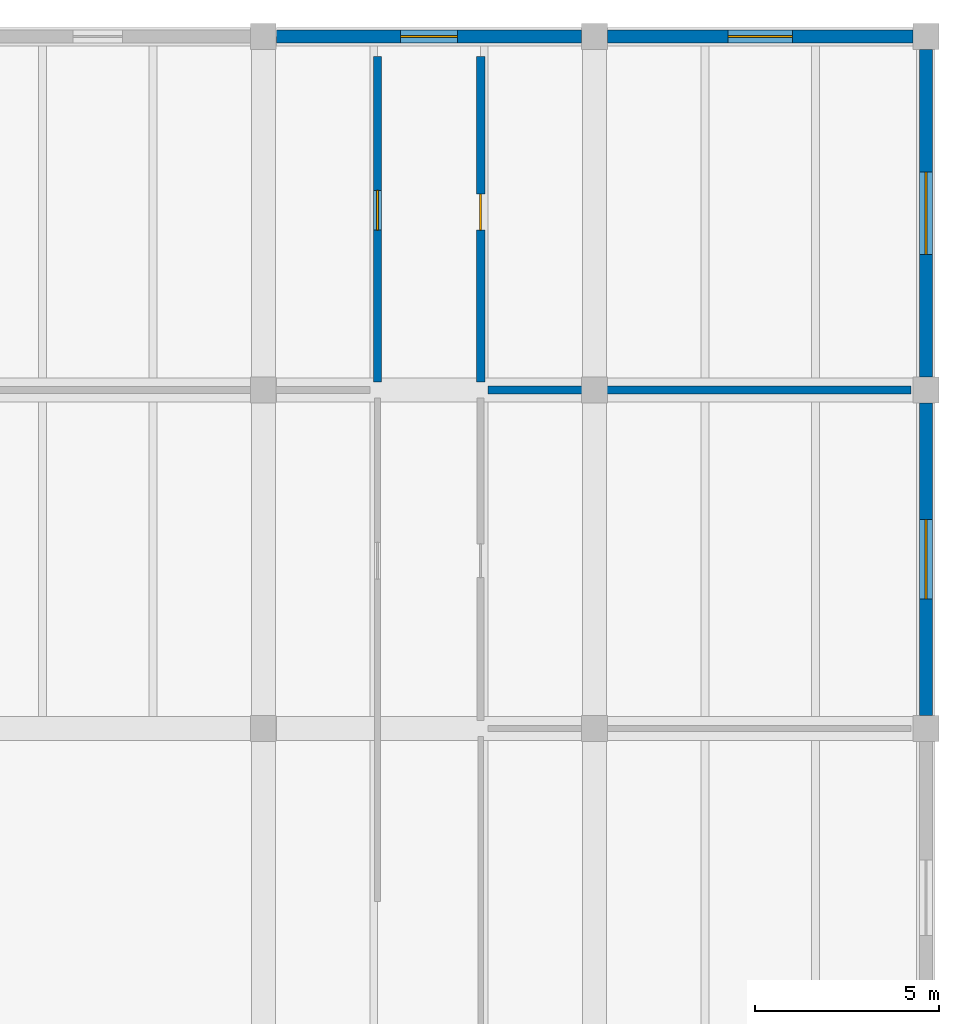
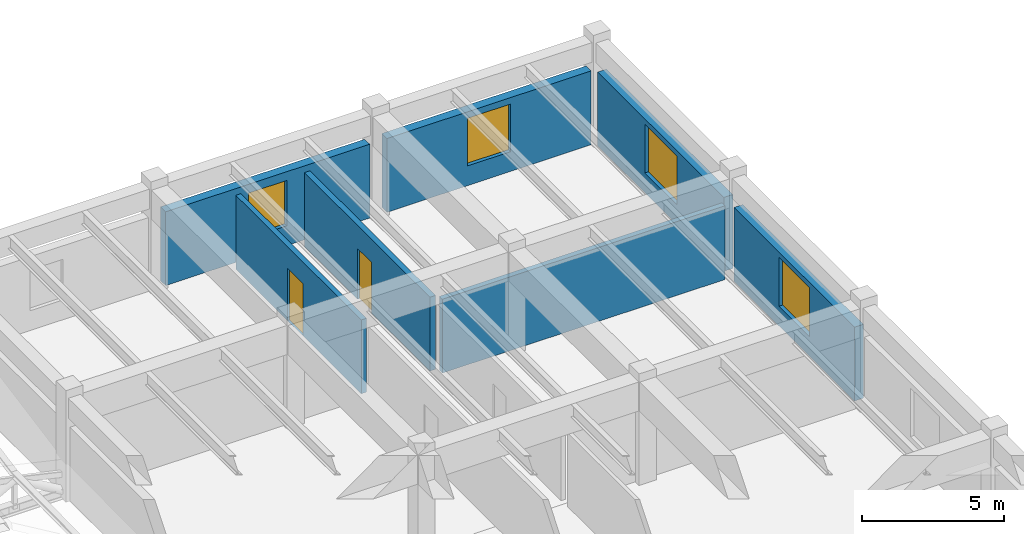
# One storey, part 78 of 90: 7 walls, 4 windows, 2 doors, 6 openings.
"""IFC4 building model written with IfcOpenShell, lengths in metres."""

from ifc_helpers import new_model, si_unit, direction, frame, frame_2d, origin, place, context, subcontext, project, spatial, rectangle, extrude, material, layer, layer_set, type_object, element, fill, save


model = new_model("IFC4")

# Units and contexts
model_context = context("Model", 3, precision=1e-05, world=origin(), true_north=direction((0.0, 1.0)))
body_context = subcontext(model_context, "Body", "Model", "MODEL_VIEW")
ifc_project = project(units=[si_unit("LENGTHUNIT", "METRE"), si_unit("AREAUNIT", "SQUARE_METRE"), si_unit("VOLUMEUNIT", "CUBIC_METRE"), si_unit("PLANEANGLEUNIT", "RADIAN"), si_unit("MASSUNIT", "GRAM", prefix="KILO")], contexts=[model_context])

# Site, building, storey
site_placement = place(None, origin())
site = spatial("IfcSite", under=ifc_project, at=site_placement, CompositionType="ELEMENT")
building_placement = place(site_placement, origin())
building = spatial("IfcBuilding", under=site, at=building_placement, Name="Bozkorgan Art Gallery", CompositionType="ELEMENT")
storey_placement = place(building_placement, frame((0.0, 0.0, 5.39990234375)))
storey = spatial("IfcBuildingStorey", under=building, at=storey_placement, Name="L01", CompositionType="ELEMENT", Elevation=5.39990234375)

# Wall, opening, door
ifc_material_1 = material(Name="Acoustic Gypsum & Mineral Wool Partition")
ifc_layer_1 = layer(ifc_material_1, 0.22998046875, Name="Acoustic Gypsum & Mineral Wool Partition")
ifc_layer_set_1 = layer_set([ifc_layer_1], Name="Acoustic Gypsum & Mineral Wool Partition")
wall_type_1 = type_object("IfcWallType", Name="IWALL-PR-08", PredefinedType="PARTITIONING", material=ifc_layer_set_1)
wall_1_placement = place(storey_placement, frame((151.89990234375, 103.02001953125, 0.0), z_axis=(0.0, 0.0, 1.0), x_axis=(0.0, 1.0, 0.0)))
wall_1 = element("IfcWall", 1, at=wall_1_placement, inside=storey, type_object=wall_type_1, Name="V5 L01 acoustic partition wall 311", PredefinedType="PARTITIONING", context=body_context, shape_type="SweptSolid", body=[
    extrude(rectangle(XDim=8.840087890625, YDim=0.22998046875, at=frame_2d((4.419921875, 0.0))), origin(), (0.0, 0.0, 1.0), 3.175048828125),
])
opening_1_placement = place(wall_1_placement, frame((4.12109375, 0.0, 0.0)))
opening_1 = element("IfcOpeningElement", 2, at=opening_1_placement, cuts=wall_1, Name="Opening FD-75", PredefinedType="OPENING", context=body_context, shape_type="SweptSolid", body=[
    extrude(rectangle(XDim=0.97998046875, YDim=2.179931640625, at=frame_2d((0.489990234375, 1.08984375))), frame((0.0, 0.125, 0.0), z_axis=(0.0, -1.0, 0.0), x_axis=(1.0, 0.0, 0.0)), (0.0, 0.0, 1.0), 0.25),
])
ifc_material_2 = material(Name="Oiled European Oak Joinery")
door_type_1 = type_object("IfcDoorType", Name="IDOOR-FD-75", OperationType="NOTDEFINED", PredefinedType="DOOR", material=ifc_material_2)
door_1_placement = place(opening_1_placement, origin())
door_1 = element("IfcDoor", 3, at=door_1_placement, inside=storey, type_object=door_type_1, Name="Paper Conservation Laboratory Door", OperationType="SINGLE_SWING_RIGHT", OverallHeight=2.179931640625, OverallWidth=0.97998046875, PredefinedType="DOOR", context=body_context, shape_type="SweptSolid", body=[
    extrude(rectangle(XDim=0.97998046875, YDim=2.179931640625, at=frame_2d((0.489990234375, 1.08984375))), frame((0.0, 0.02490234375, 0.0), z_axis=(0.0, -1.0, 0.0), x_axis=(1.0, 0.0, 0.0)), (0.0, 0.0, 1.0), 0.050048828125),
])
fill(opening_1, door_1)

ifc_layer_2 = layer(ifc_material_1, 0.2099609375, Name="Acoustic Gypsum & Mineral Wool Partition")
ifc_layer_set_2 = layer_set([ifc_layer_2], Name="Acoustic Gypsum & Mineral Wool Partition")
wall_type_2 = type_object("IfcWallType", Name="IWALL-PR-38", PredefinedType="PARTITIONING", material=ifc_layer_set_2)
wall_2_placement = place(storey_placement, frame((149.10009765625, 103.02001953125, 0.0), z_axis=(0.0, 0.0, 1.0), x_axis=(0.0, 1.0, 0.0)))
wall_2 = element("IfcWall", 4, at=wall_2_placement, inside=storey, type_object=wall_type_2, Name="V5 L01 acoustic partition wall 304", PredefinedType="PARTITIONING", context=body_context, shape_type="SweptSolid", body=[
    extrude(rectangle(XDim=8.840087890625, YDim=0.2099609375, at=frame_2d((4.419921875, 0.0))), origin(), (0.0, 0.0, 1.0), 3.175048828125),
])
opening_2_placement = place(wall_2_placement, frame((5.201171875, 0.0, 0.0), z_axis=(0.0, 0.0, 1.0), x_axis=(-1.0, 0.0, 0.0)))
opening_2 = element("IfcOpeningElement", 5, at=opening_2_placement, cuts=wall_2, Name="Opening FD-44", PredefinedType="OPENING", context=body_context, shape_type="SweptSolid", body=[
    extrude(rectangle(XDim=1.080078125, YDim=2.239990234375, at=frame_2d((0.5400390625, 1.1201171875))), frame((0.0, 0.114990234375, 0.0), z_axis=(0.0, -1.0, 0.0), x_axis=(1.0, 0.0, 0.0)), (0.0, 0.0, 1.0), 0.22998046875),
])
door_type_2 = type_object("IfcDoorType", Name="IDOOR-FD-44", OperationType="NOTDEFINED", PredefinedType="DOOR", material=ifc_material_2)
door_2_placement = place(opening_2_placement, origin())
door_2 = element("IfcDoor", 6, at=door_2_placement, inside=storey, type_object=door_type_2, Name="Registrar Cataloguing Office Door", OperationType="SINGLE_SWING_RIGHT", OverallHeight=2.239990234375, OverallWidth=1.080078125, PredefinedType="DOOR", context=body_context, shape_type="SweptSolid", body=[
    extrude(rectangle(XDim=1.080078125, YDim=2.239990234375, at=frame_2d((0.5400390625, 1.1201171875))), frame((0.0, 0.02490234375, 0.0), z_axis=(0.0, -1.0, 0.0), x_axis=(1.0, 0.0, 0.0)), (0.0, 0.0, 1.0), 0.050048828125),
])
fill(opening_2, door_2)

# Wall
ifc_layer_3 = layer(ifc_material_1, 0.2099609375, Name="Acoustic Gypsum & Mineral Wool Partition")
ifc_layer_set_3 = layer_set([ifc_layer_3], Name="Acoustic Gypsum & Mineral Wool Partition")
wall_type_3 = type_object("IfcWallType", Name="IWALL-PW-72", PredefinedType="PARTITIONING", material=ifc_layer_set_3)
wall_3_placement = place(storey_placement, frame((152.10009765625, 102.800048828125, 0.0), z_axis=(0.0, 0.0, 1.0), x_axis=(1.0, 0.0, 0.0)))
element("IfcWall", 7, at=wall_3_placement, inside=storey, type_object=wall_type_3, Name="V5 L01 acoustic partition wall 310", PredefinedType="PARTITIONING", context=body_context, shape_type="SweptSolid", body=[
    extrude(rectangle(XDim=11.5, YDim=0.2099609375, at=frame_2d((5.75, 0.0))), origin(), (0.0, 0.0, 1.0), 3.175048828125),
])

# Wall, opening, window
ifc_material_3 = material(Name="Pressed Terracotta Brick Masonry", Category="masonry")
ifc_layer_4 = layer(ifc_material_3, 0.360107421875, Name="Pressed Terracotta Brick Masonry")
ifc_layer_set_4 = layer_set([ifc_layer_4], Name="Pressed Terracotta Brick Masonry")
wall_type_4 = type_object("IfcWallType", Name="WALL-WB-99", PredefinedType="STANDARD", material=ifc_layer_set_4)
wall_4_placement = place(storey_placement, frame((146.35009765625, 112.39990234375, 0.0), z_axis=(0.0, 0.0, 1.0), x_axis=(1.0, 0.0, 0.0)))
wall_4 = element("IfcWall", 8, at=wall_4_placement, inside=storey, type_object=wall_type_4, Name="V5 L01 exterior facade wall 1N-4", PredefinedType="STANDARD", context=body_context, shape_type="SweptSolid", body=[
    extrude(rectangle(XDim=8.2998046875, YDim=0.360107421875, at=frame_2d((4.14990234375, 0.0))), origin(), (0.0, 0.0, 1.0), 3.175048828125),
])
opening_3_placement = place(wall_4_placement, frame((3.375, 0.0, 0.85009765625)))
opening_3 = element("IfcOpeningElement", 9, at=opening_3_placement, cuts=wall_4, Name="Opening WN-44", PredefinedType="OPENING", context=body_context, shape_type="SweptSolid", body=[
    extrude(rectangle(XDim=1.550048828125, YDim=1.949951171875, at=frame_2d((0.77490234375, 0.97509765625))), frame((0.0, 0.18994140625, 0.0), z_axis=(0.0, -1.0, 0.0), x_axis=(1.0, 0.0, 0.0)), (0.0, 0.0, 1.0), 0.380126953125),
])
ifc_material_4 = material(Name="Triple Low-E Laminated Glass", Category="glass")
window_type_1 = type_object("IfcWindowType", Name="WIN-WN-44", PartitioningType="SINGLE_PANEL", PredefinedType="WINDOW", material=ifc_material_4)
window_1_placement = place(opening_3_placement, origin())
window_1 = element("IfcWindow", 10, at=window_1_placement, inside=storey, type_object=window_type_1, Name="V5 L01 gallery window 1N-4", OverallHeight=1.949951171875, OverallWidth=1.550048828125, PartitioningType="SINGLE_PANEL", PredefinedType="WINDOW", context=body_context, shape_type="SweptSolid", body=[
    extrude(rectangle(XDim=1.550048828125, YDim=1.949951171875, at=frame_2d((0.77490234375, 0.97509765625))), frame((0.0, 0.030029296875, 0.0), z_axis=(0.0, -1.0, 0.0), x_axis=(1.0, 0.0, 0.0)), (0.0, 0.0, 1.0), 0.06005859375),
])
fill(opening_3, window_1)

wall_5_placement = place(storey_placement, frame((155.35009765625, 112.39990234375, 0.0), z_axis=(0.0, 0.0, 1.0), x_axis=(1.0, 0.0, 0.0)))
wall_5 = element("IfcWall", 11, at=wall_5_placement, inside=storey, type_object=wall_type_4, Name="V5 L01 exterior facade wall 1N-6", PredefinedType="STANDARD", context=body_context, shape_type="SweptSolid", body=[
    extrude(rectangle(XDim=8.2998046875, YDim=0.360107421875, at=frame_2d((4.14990234375, 0.0))), origin(), (0.0, 0.0, 1.0), 3.175048828125),
])
opening_4_placement = place(wall_5_placement, frame((3.27490234375, 0.0, 0.85009765625)))
opening_4 = element("IfcOpeningElement", 12, at=opening_4_placement, cuts=wall_5, Name="Opening WN-98", PredefinedType="OPENING", context=body_context, shape_type="SweptSolid", body=[
    extrude(rectangle(XDim=1.75, YDim=2.050048828125, at=frame_2d((0.875, 1.02490234375))), frame((0.0, 0.18994140625, 0.0), z_axis=(0.0, -1.0, 0.0), x_axis=(1.0, 0.0, 0.0)), (0.0, 0.0, 1.0), 0.380126953125),
])
window_type_2 = type_object("IfcWindowType", Name="WIN-WN-98", PartitioningType="SINGLE_PANEL", PredefinedType="WINDOW", material=ifc_material_4)
window_2_placement = place(opening_4_placement, origin())
window_2 = element("IfcWindow", 13, at=window_2_placement, inside=storey, type_object=window_type_2, Name="V5 L01 gallery window 1N-6", OverallHeight=2.050048828125, OverallWidth=1.75, PartitioningType="SINGLE_PANEL", PredefinedType="WINDOW", context=body_context, shape_type="SweptSolid", body=[
    extrude(rectangle(XDim=1.75, YDim=2.050048828125, at=frame_2d((0.875, 1.02490234375))), frame((0.0, 0.030029296875, 0.0), z_axis=(0.0, -1.0, 0.0), x_axis=(1.0, 0.0, 0.0)), (0.0, 0.0, 1.0), 0.06005859375),
])
fill(opening_4, window_2)

wall_6_placement = place(storey_placement, frame((164.0, 93.949951171875, 0.0), z_axis=(0.0, 0.0, 1.0), x_axis=(0.0, 1.0, 0.0)))
wall_6 = element("IfcWall", 14, at=wall_6_placement, inside=storey, type_object=wall_type_4, Name="V5 L01 exterior facade wall 1E-14", PredefinedType="STANDARD", context=body_context, shape_type="SweptSolid", body=[
    extrude(rectangle(XDim=8.5, YDim=0.360107421875, at=frame_2d((4.25, 0.0))), origin(), (0.0, 0.0, 1.0), 3.175048828125),
])
opening_5_placement = place(wall_6_placement, frame((5.324951171875, 0.0, 0.85009765625), z_axis=(0.0, 0.0, 1.0), x_axis=(-1.0, 0.0, 0.0)))
opening_5 = element("IfcOpeningElement", 15, at=opening_5_placement, cuts=wall_6, Name="Opening WN-77", PredefinedType="OPENING", context=body_context, shape_type="SweptSolid", body=[
    extrude(rectangle(XDim=2.14990234375, YDim=2.10009765625, at=frame_2d((1.074951171875, 1.050048828125))), frame((0.0, 0.18994140625, 0.0), z_axis=(0.0, -1.0, 0.0), x_axis=(1.0, 0.0, 0.0)), (0.0, 0.0, 1.0), 0.380126953125),
])
window_type_3 = type_object("IfcWindowType", Name="WIN-WN-77", PartitioningType="SINGLE_PANEL", PredefinedType="WINDOW", material=ifc_material_4)
window_3_placement = place(opening_5_placement, origin())
window_3 = element("IfcWindow", 16, at=window_3_placement, inside=storey, type_object=window_type_3, Name="V5 L01 gallery window 1E-14", OverallHeight=2.10009765625, OverallWidth=2.14990234375, PartitioningType="SINGLE_PANEL", PredefinedType="WINDOW", context=body_context, shape_type="SweptSolid", body=[
    extrude(rectangle(XDim=2.14990234375, YDim=2.10009765625, at=frame_2d((1.074951171875, 1.050048828125))), frame((0.0, 0.030029296875, 0.0), z_axis=(0.0, -1.0, 0.0), x_axis=(1.0, 0.0, 0.0)), (0.0, 0.0, 1.0), 0.06005859375),
])
fill(opening_5, window_3)

wall_7_placement = place(storey_placement, frame((164.0, 103.14990234375, 0.0), z_axis=(0.0, 0.0, 1.0), x_axis=(0.0, 1.0, 0.0)))
wall_7 = element("IfcWall", 17, at=wall_7_placement, inside=storey, type_object=wall_type_4, Name="V5 L01 exterior facade wall 1E-16", PredefinedType="STANDARD", context=body_context, shape_type="SweptSolid", body=[
    extrude(rectangle(XDim=8.900146484375, YDim=0.360107421875, at=frame_2d((4.4501953125, 0.0))), origin(), (0.0, 0.0, 1.0), 3.175048828125),
])
opening_6_placement = place(wall_7_placement, frame((5.574951171875, 0.0, 0.85009765625), z_axis=(0.0, 0.0, 1.0), x_axis=(-1.0, 0.0, 0.0)))
opening_6 = element("IfcOpeningElement", 18, at=opening_6_placement, cuts=wall_7, Name="Opening WN-11", PredefinedType="OPENING", context=body_context, shape_type="SweptSolid", body=[
    extrude(rectangle(XDim=2.25, YDim=2.10009765625, at=frame_2d((1.125, 1.050048828125))), frame((0.0, 0.18994140625, 0.0), z_axis=(0.0, -1.0, 0.0), x_axis=(1.0, 0.0, 0.0)), (0.0, 0.0, 1.0), 0.380126953125),
])
window_type_4 = type_object("IfcWindowType", Name="WIN-WN-11", PartitioningType="SINGLE_PANEL", PredefinedType="WINDOW", material=ifc_material_4)
window_4_placement = place(opening_6_placement, origin())
window_4 = element("IfcWindow", 19, at=window_4_placement, inside=storey, type_object=window_type_4, Name="V5 L01 gallery window 1E-16", OverallHeight=2.10009765625, OverallWidth=2.25, PartitioningType="SINGLE_PANEL", PredefinedType="WINDOW", context=body_context, shape_type="SweptSolid", body=[
    extrude(rectangle(XDim=2.25, YDim=2.10009765625, at=frame_2d((1.125, 1.050048828125))), frame((0.0, 0.030029296875, 0.0), z_axis=(0.0, -1.0, 0.0), x_axis=(1.0, 0.0, 0.0)), (0.0, 0.0, 1.0), 0.06005859375),
])
fill(opening_6, window_4)

save(model, "model.ifc")
